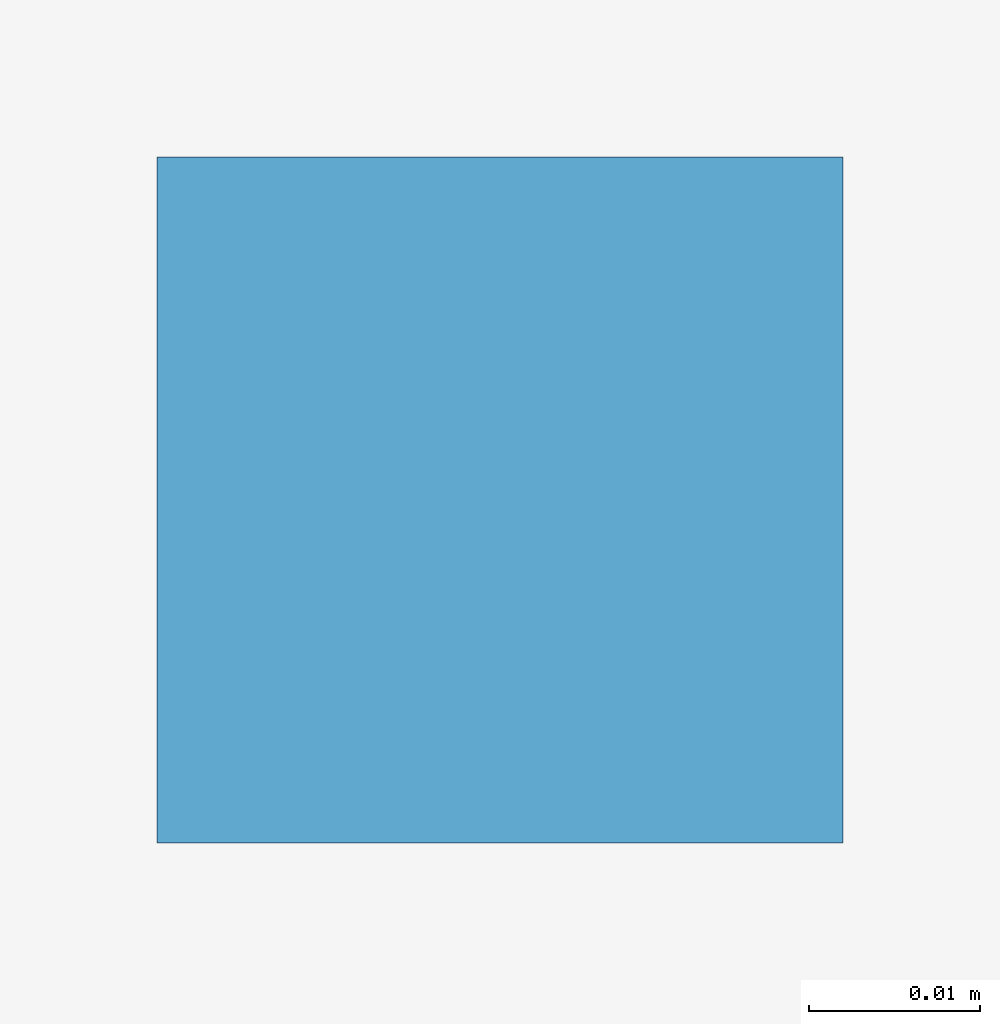
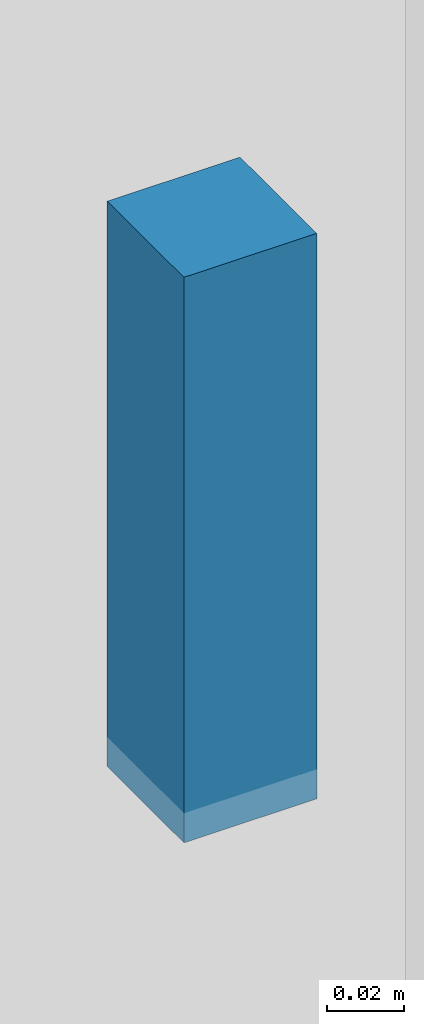
# One storey, part 75 of 99: 1 discrete accessory.
"""IFC4 building model written with IfcOpenShell, lengths in metres."""

from ifc_helpers import new_model, si_unit, direction, frame, origin, origin_2d, place, context, subcontext, project, spatial, rectangle, extrude, material, type_object, element, save


model = new_model("IFC4")

# Units and contexts
model_context = context("Model", 3, precision=1e-05, world=origin(), true_north=direction((0.0, 1.0)))
body_context = subcontext(model_context, "Body", "Model", "MODEL_VIEW")
ifc_project = project(units=[si_unit("LENGTHUNIT", "METRE"), si_unit("AREAUNIT", "SQUARE_METRE"), si_unit("VOLUMEUNIT", "CUBIC_METRE"), si_unit("PLANEANGLEUNIT", "RADIAN"), si_unit("MASSUNIT", "GRAM", prefix="KILO")], contexts=[model_context])

# Site, building, storey
site_placement = place(None, origin())
site = spatial("IfcSite", under=ifc_project, at=site_placement, CompositionType="ELEMENT")
building_placement = place(site_placement, origin())
building = spatial("IfcBuilding", under=site, at=building_placement, Name="Alvorim Cloister Faculty of Sciences", CompositionType="ELEMENT")
storey_placement = place(building_placement, frame((0.0, 0.0, 12.14990234375)))
storey = spatial("IfcBuildingStorey", under=building, at=storey_placement, Name="L03", CompositionType="ELEMENT", Elevation=12.14990234375)

# Discrete accessory
ifc_material = material(Name="Galvanised Painted Steel", Category="steel")
discrete_accessory_type = type_object("IfcDiscreteAccessoryType", Name="ACC-CEIL-ROD", PredefinedType="BRACKET", material=ifc_material)
discrete_accessory_placement = place(storey_placement, frame((97.75, 27.14990234375, 3.22998046875), z_axis=(0.0, 0.0, 1.0), x_axis=(1.0, 0.0, 0.0)))
element("IfcDiscreteAccessory", 1, at=discrete_accessory_placement, inside=storey, type_object=discrete_accessory_type, Name="Ceiling Suspension Bracket ACC-ROD-028", PredefinedType="BRACKET", context=body_context, shape_type="SweptSolid", body=[
    extrude(rectangle(XDim=0.0400390625, YDim=0.0400390625, at=origin_2d()), origin(), (0.0, 0.0, 1.0), 0.18017578125),
])

save(model, "model.ifc")
